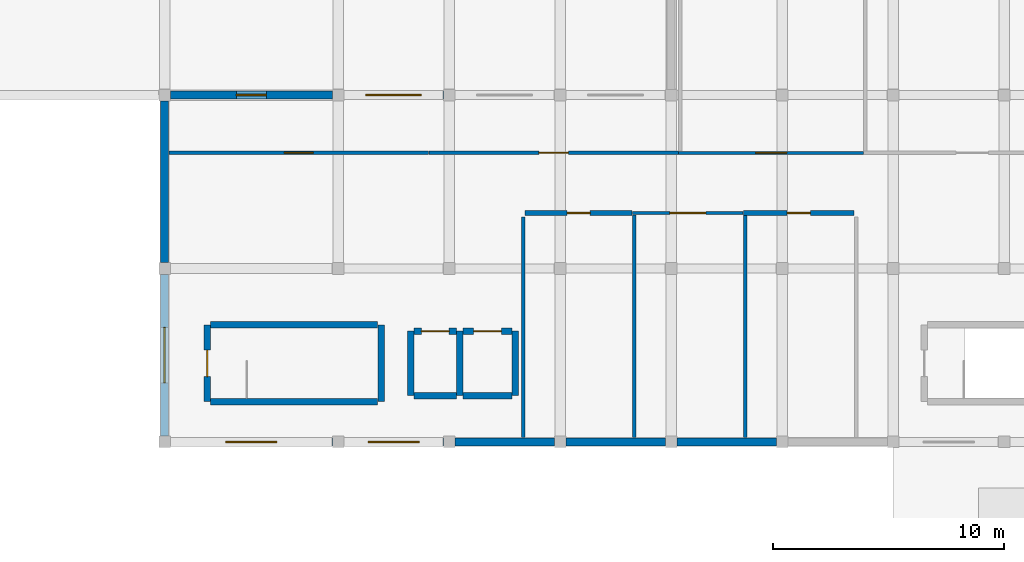
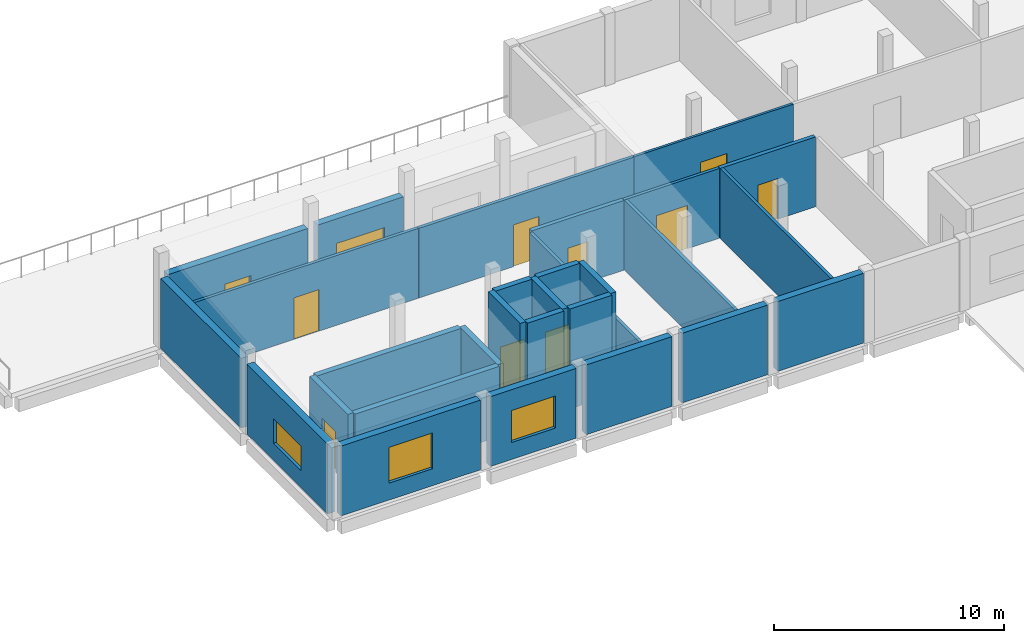
# One storey, part 9 of 21: 29 walls, 10 doors, 4 windows, 14 openings.
"""IFC4 building model written with IfcOpenShell, lengths in metres."""

from ifc_helpers import new_model, si_unit, direction, frame, frame_2d, origin, place, context, subcontext, project, spatial, rectangle, extrude, material, layer, layer_set, type_object, element, fill, save


model = new_model("IFC4")

# Units and contexts
model_context = context("Model", 3, precision=1e-05, world=origin(), true_north=direction((0.0, 1.0)))
body_context = subcontext(model_context, "Body", "Model", "MODEL_VIEW")
ifc_project = project(units=[si_unit("LENGTHUNIT", "METRE"), si_unit("AREAUNIT", "SQUARE_METRE"), si_unit("VOLUMEUNIT", "CUBIC_METRE"), si_unit("PLANEANGLEUNIT", "RADIAN"), si_unit("MASSUNIT", "GRAM", prefix="KILO")], contexts=[model_context])

# Site, building, storey
site_placement = place(None, origin())
site = spatial("IfcSite", under=ifc_project, at=site_placement, CompositionType="ELEMENT")
building_placement = place(site_placement, origin())
building = spatial("IfcBuilding", under=site, at=building_placement, Name="Mawjan Specialist Oncology Clinic", CompositionType="ELEMENT")
storey_placement = place(building_placement, frame((0.0, 0.0, 13.5)))
storey = spatial("IfcBuildingStorey", under=building, at=storey_placement, Name="L03", CompositionType="ELEMENT", Elevation=13.5)

# Walls
ifc_material_1 = material(Name="Precast concrete C40/50", Category="concrete")
ifc_layer_1 = layer(ifc_material_1, 0.35009765625, Name="Precast concrete C40/50", Category="concrete")
ifc_layer_set_1 = layer_set([ifc_layer_1], Name="Precast concrete C40/50")
wall_type_1 = type_object("IfcWallType", Name="EW-350", PredefinedType="SOLIDWALL", material=ifc_layer_set_1)
wall_1_placement = place(storey_placement, frame((78.949951171875, 83.300048828125, 0.0), z_axis=(0.0, 0.0, 1.0), x_axis=(-1.0, 0.0, 0.0)))
element("IfcWall", 1, at=wall_1_placement, inside=storey, type_object=wall_type_1, Name="L03 Coral-Limestone Exterior Wall EW-L03-314", PredefinedType="SOLIDWALL", context=body_context, shape_type="SweptSolid", body=[
    extrude(rectangle(XDim=4.300048828125, YDim=0.35009765625, at=frame_2d((2.14990234375, 0.0))), origin(), (0.0, 0.0, 1.0), 3.699951171875),
])
wall_2_placement = place(storey_placement, frame((74.14990234375, 83.300048828125, 0.0), z_axis=(0.0, 0.0, 1.0), x_axis=(-1.0, 0.0, 0.0)))
element("IfcWall", 2, at=wall_2_placement, inside=storey, type_object=wall_type_1, Name="L03 Coral-Limestone Exterior Wall EW-L03-315", PredefinedType="SOLIDWALL", context=body_context, shape_type="SweptSolid", body=[
    extrude(rectangle(XDim=4.2998046875, YDim=0.35009765625, at=frame_2d((2.14990234375, 0.0))), origin(), (0.0, 0.0, 1.0), 3.699951171875),
])
wall_3_placement = place(storey_placement, frame((69.35009765625, 83.300048828125, 0.0), z_axis=(0.0, 0.0, 1.0), x_axis=(-1.0, 0.0, 0.0)))
element("IfcWall", 3, at=wall_3_placement, inside=storey, type_object=wall_type_1, Name="L03 Coral-Limestone Exterior Wall EW-L03-316", PredefinedType="SOLIDWALL", context=body_context, shape_type="SweptSolid", body=[
    extrude(rectangle(XDim=4.300048828125, YDim=0.35009765625, at=frame_2d((2.14990234375, 0.0))), origin(), (0.0, 0.0, 1.0), 3.699951171875),
])

# Wall, opening, window
wall_4_placement = place(storey_placement, frame((64.550048828125, 83.300048828125, 0.0), z_axis=(0.0, 0.0, 1.0), x_axis=(-1.0, 0.0, 0.0)))
wall_4 = element("IfcWall", 4, at=wall_4_placement, inside=storey, type_object=wall_type_1, Name="L03 Coral-Limestone Exterior Wall EW-L03-317", PredefinedType="SOLIDWALL", context=body_context, shape_type="SweptSolid", body=[
    extrude(rectangle(XDim=4.300048828125, YDim=0.35009765625, at=frame_2d((2.14990234375, 0.0))), origin(), (0.0, 0.0, 1.0), 3.699951171875),
])
opening_1_placement = place(wall_4_placement, frame((1.050048828125, 0.0, 0.89990234375)))
opening_1 = element("IfcOpeningElement", 5, at=opening_1_placement, cuts=wall_4, Name="Opening WN-31", PredefinedType="OPENING", context=body_context, shape_type="SweptSolid", body=[
    extrude(rectangle(XDim=2.199951171875, YDim=1.699951171875, at=frame_2d((1.10009765625, 0.85009765625))), frame((0.0, 0.18701171875, 0.0), z_axis=(0.0, -1.0, 0.0), x_axis=(1.0, 0.0, 0.0)), (0.0, 0.0, 1.0), 0.3740234375),
])
ifc_material_2 = material(Name="Thermally broken low-E clinical aluminium window", Category="aluminium")
window_type_1 = type_object("IfcWindowType", Name="WN-31", PartitioningType="DOUBLE_PANEL_VERTICAL", PredefinedType="WINDOW", material=ifc_material_2)
window_1_placement = place(opening_1_placement, origin())
window_1 = element("IfcWindow", 6, at=window_1_placement, inside=storey, type_object=window_type_1, Name="L03 Clinical Low-E Window 067", OverallHeight=1.699951171875, OverallWidth=2.199951171875, PartitioningType="DOUBLE_PANEL_VERTICAL", PredefinedType="WINDOW", context=body_context, shape_type="SweptSolid", body=[
    extrude(rectangle(XDim=2.199951171875, YDim=1.699951171875, at=frame_2d((1.10009765625, 0.85009765625))), frame((0.0, 0.030029296875, 0.0), z_axis=(0.0, -1.0, 0.0), x_axis=(1.0, 0.0, 0.0)), (0.0, 0.0, 1.0), 0.06005859375),
])
fill(opening_1, window_1)

wall_5_placement = place(storey_placement, frame((59.75, 83.300048828125, 0.0), z_axis=(0.0, 0.0, 1.0), x_axis=(-1.0, 0.0, 0.0)))
wall_5 = element("IfcWall", 7, at=wall_5_placement, inside=storey, type_object=wall_type_1, Name="L03 Coral-Limestone Exterior Wall EW-L03-318", PredefinedType="SOLIDWALL", context=body_context, shape_type="SweptSolid", body=[
    extrude(rectangle(XDim=7.0, YDim=0.35009765625, at=frame_2d((3.5, 0.0))), origin(), (0.0, 0.0, 1.0), 3.699951171875),
])
opening_2_placement = place(wall_5_placement, frame((2.39990234375, 0.0, 0.89990234375)))
opening_2 = element("IfcOpeningElement", 8, at=opening_2_placement, cuts=wall_5, Name="Opening WN-32", PredefinedType="OPENING", context=body_context, shape_type="SweptSolid", body=[
    extrude(rectangle(XDim=2.199951171875, YDim=1.89990234375, at=frame_2d((1.10009765625, 0.949951171875))), frame((0.0, 0.18701171875, 0.0), z_axis=(0.0, -1.0, 0.0), x_axis=(1.0, 0.0, 0.0)), (0.0, 0.0, 1.0), 0.3740234375),
])
ifc_material_3 = material(Name="Thermally broken low-E clinical aluminium window", Category="aluminium")
window_type_2 = type_object("IfcWindowType", Name="WN-32", PartitioningType="DOUBLE_PANEL_VERTICAL", PredefinedType="WINDOW", material=ifc_material_3)
window_2_placement = place(opening_2_placement, origin())
window_2 = element("IfcWindow", 9, at=window_2_placement, inside=storey, type_object=window_type_2, Name="L03 Clinical Low-E Window 068", OverallHeight=1.89990234375, OverallWidth=2.199951171875, PartitioningType="DOUBLE_PANEL_VERTICAL", PredefinedType="WINDOW", context=body_context, shape_type="SweptSolid", body=[
    extrude(rectangle(XDim=2.199951171875, YDim=1.89990234375, at=frame_2d((1.10009765625, 0.949951171875))), frame((0.0, 0.030029296875, 0.0), z_axis=(0.0, -1.0, 0.0), x_axis=(1.0, 0.0, 0.0)), (0.0, 0.0, 1.0), 0.06005859375),
])
fill(opening_2, window_2)

wall_6_placement = place(storey_placement, frame((52.5, 83.550048828125, 0.0), z_axis=(0.0, 0.0, 1.0), x_axis=(0.0, 1.0, 0.0)))
wall_6 = element("IfcWall", 10, at=wall_6_placement, inside=storey, type_object=wall_type_1, Name="L03 Coral-Limestone Exterior Wall EW-L03-319", PredefinedType="SOLIDWALL", context=body_context, shape_type="SweptSolid", body=[
    extrude(rectangle(XDim=7.0, YDim=0.35009765625, at=frame_2d((3.5, 0.0))), origin(), (0.0, 0.0, 1.0), 3.699951171875),
])
opening_3_placement = place(wall_6_placement, frame((2.300048828125, 0.0, 0.89990234375)))
opening_3 = element("IfcOpeningElement", 11, at=opening_3_placement, cuts=wall_6, Name="Opening WN-33", PredefinedType="OPENING", context=body_context, shape_type="SweptSolid", body=[
    extrude(rectangle(XDim=2.39990234375, YDim=1.300048828125, at=frame_2d((1.199951171875, 0.64990234375))), frame((0.0, 0.18701171875, 0.0), z_axis=(0.0, -1.0, 0.0), x_axis=(1.0, 0.0, 0.0)), (0.0, 0.0, 1.0), 0.3740234375),
])
ifc_material_4 = material(Name="Thermally broken low-E clinical aluminium window", Category="aluminium")
window_type_3 = type_object("IfcWindowType", Name="WN-33", PartitioningType="DOUBLE_PANEL_VERTICAL", PredefinedType="WINDOW", material=ifc_material_4)
window_3_placement = place(opening_3_placement, origin())
window_3 = element("IfcWindow", 12, at=window_3_placement, inside=storey, type_object=window_type_3, Name="L03 Clinical Low-E Window 069", OverallHeight=1.300048828125, OverallWidth=2.39990234375, PartitioningType="DOUBLE_PANEL_VERTICAL", PredefinedType="WINDOW", context=body_context, shape_type="SweptSolid", body=[
    extrude(rectangle(XDim=2.39990234375, YDim=1.300048828125, at=frame_2d((1.199951171875, 0.64990234375))), frame((0.0, 0.030029296875, 0.0), z_axis=(0.0, -1.0, 0.0), x_axis=(1.0, 0.0, 0.0)), (0.0, 0.0, 1.0), 0.06005859375),
])
fill(opening_3, window_3)

# Wall
wall_7_placement = place(storey_placement, frame((52.5, 91.050048828125, 0.0), z_axis=(0.0, 0.0, 1.0), x_axis=(0.0, 1.0, 0.0)))
element("IfcWall", 13, at=wall_7_placement, inside=storey, type_object=wall_type_1, Name="L03 Coral-Limestone Exterior Wall EW-L03-320", PredefinedType="SOLIDWALL", context=body_context, shape_type="SweptSolid", body=[
    extrude(rectangle(XDim=7.0, YDim=0.35009765625, at=frame_2d((3.5, 0.0))), origin(), (0.0, 0.0, 1.0), 3.699951171875),
])

# Wall, opening, door
wall_8_placement = place(storey_placement, frame((52.75, 98.300048828125, 0.0), z_axis=(0.0, 0.0, 1.0), x_axis=(1.0, 0.0, 0.0)))
wall_8 = element("IfcWall", 14, at=wall_8_placement, inside=storey, type_object=wall_type_1, Name="L03 Coral-Limestone Exterior Wall EW-L03-321", PredefinedType="SOLIDWALL", context=body_context, shape_type="SweptSolid", body=[
    extrude(rectangle(XDim=7.0, YDim=0.35009765625, at=frame_2d((3.5, 0.0))), origin(), (0.0, 0.0, 1.0), 3.699951171875),
])
opening_4_placement = place(wall_8_placement, frame((2.85009765625, 0.0, 0.0)))
opening_4 = element("IfcOpeningElement", 15, at=opening_4_placement, cuts=wall_8, Name="Opening DT-130", PredefinedType="OPENING", context=body_context, shape_type="SweptSolid", body=[
    extrude(rectangle(XDim=1.300048828125, YDim=2.199951171875, at=frame_2d((0.64990234375, 1.10009765625))), frame((0.0, 0.18701171875, 0.0), z_axis=(0.0, -1.0, 0.0), x_axis=(1.0, 0.0, 0.0)), (0.0, 0.0, 1.0), 0.3740234375),
])
ifc_material_5 = material(Name="Insulated marine-grade aluminium entrance assembly", Category="aluminium")
door_type_1 = type_object("IfcDoorType", Name="DT-130", OperationType="NOTDEFINED", PredefinedType="DOOR", material=ifc_material_5)
door_1_placement = place(opening_4_placement, origin())
door_1 = element("IfcDoor", 16, at=door_1_placement, inside=storey, type_object=door_type_1, Name="L03 Healing Terrace Access Door 4", OperationType="SINGLE_SWING_LEFT", OverallHeight=2.199951171875, OverallWidth=1.300048828125, PredefinedType="DOOR", context=body_context, shape_type="SweptSolid", body=[
    extrude(rectangle(XDim=1.300048828125, YDim=2.199951171875, at=frame_2d((0.64990234375, 1.10009765625))), frame((0.0, 0.02490234375, 0.0), z_axis=(0.0, -1.0, 0.0), x_axis=(1.0, 0.0, 0.0)), (0.0, 0.0, 1.0), 0.050048828125),
])
fill(opening_4, door_1)

# Wall, opening, window
wall_9_placement = place(storey_placement, frame((60.25, 98.300048828125, 0.0), z_axis=(0.0, 0.0, 1.0), x_axis=(1.0, 0.0, 0.0)))
wall_9 = element("IfcWall", 17, at=wall_9_placement, inside=storey, type_object=wall_type_1, Name="L03 Coral-Limestone Exterior Wall EW-L03-322", PredefinedType="SOLIDWALL", context=body_context, shape_type="SweptSolid", body=[
    extrude(rectangle(XDim=4.300048828125, YDim=0.35009765625, at=frame_2d((2.14990234375, 0.0))), origin(), (0.0, 0.0, 1.0), 3.699951171875),
])
opening_5_placement = place(wall_9_placement, frame((0.949951171875, 0.0, 0.89990234375)))
opening_5 = element("IfcOpeningElement", 18, at=opening_5_placement, cuts=wall_9, Name="Opening WN-34", PredefinedType="OPENING", context=body_context, shape_type="SweptSolid", body=[
    extrude(rectangle(XDim=2.39990234375, YDim=1.5, at=frame_2d((1.199951171875, 0.75))), frame((0.0, 0.18701171875, 0.0), z_axis=(0.0, -1.0, 0.0), x_axis=(1.0, 0.0, 0.0)), (0.0, 0.0, 1.0), 0.3740234375),
])
ifc_material_6 = material(Name="Thermally broken low-E clinical aluminium window", Category="aluminium")
window_type_4 = type_object("IfcWindowType", Name="WN-34", PartitioningType="DOUBLE_PANEL_VERTICAL", PredefinedType="WINDOW", material=ifc_material_6)
window_4_placement = place(opening_5_placement, origin())
window_4 = element("IfcWindow", 19, at=window_4_placement, inside=storey, type_object=window_type_4, Name="L03 Clinical Low-E Window 070", OverallHeight=1.5, OverallWidth=2.39990234375, PartitioningType="DOUBLE_PANEL_VERTICAL", PredefinedType="WINDOW", context=body_context, shape_type="SweptSolid", body=[
    extrude(rectangle(XDim=2.39990234375, YDim=1.5, at=frame_2d((1.199951171875, 0.75))), frame((0.0, 0.030029296875, 0.0), z_axis=(0.0, -1.0, 0.0), x_axis=(1.0, 0.0, 0.0)), (0.0, 0.0, 1.0), 0.06005859375),
])
fill(opening_5, window_4)

# Walls
ifc_material_7 = material(Name="Concrete C45/55", Category="concrete")
ifc_layer_2 = layer(ifc_material_7, 0.280029296875, Name="Concrete C45/55", Category="concrete")
ifc_layer_set_2 = layer_set([ifc_layer_2], Name="Concrete C45/55")
wall_type_2 = type_object("IfcWallType", Name="SW-300", PredefinedType="SHEAR", material=ifc_layer_set_2)
wall_10_placement = place(storey_placement, frame((54.485107421875, 85.0400390625, 0.0), z_axis=(0.0, 0.0, 1.0), x_axis=(1.0, 0.0, 0.0)))
element("IfcWall", 20, at=wall_10_placement, inside=storey, type_object=wall_type_2, Name="L03 Core K3 Stair Shear Wall 1", PredefinedType="SHEAR", context=body_context, shape_type="SweptSolid", body=[
    extrude(rectangle(XDim=7.22998046875, YDim=0.280029296875, at=frame_2d((3.614990234375, 0.0))), origin(), (0.0, 0.0, 1.0), 3.719970703125),
])
wall_11_placement = place(storey_placement, frame((61.860107421875, 85.0400390625, 0.0), z_axis=(0.0, 0.0, 1.0), x_axis=(0.0, 1.0, 0.0)))
element("IfcWall", 21, at=wall_11_placement, inside=storey, type_object=wall_type_2, Name="L03 Core K3 Stair Shear Wall 2", PredefinedType="SHEAR", context=body_context, shape_type="SweptSolid", body=[
    extrude(rectangle(XDim=3.320068359375, YDim=0.280029296875, at=frame_2d((1.66015625, 0.0))), origin(), (0.0, 0.0, 1.0), 3.719970703125),
])
wall_12_placement = place(storey_placement, frame((61.715087890625, 88.360107421875, 0.0), z_axis=(0.0, 0.0, 1.0), x_axis=(-1.0, 0.0, 0.0)))
element("IfcWall", 22, at=wall_12_placement, inside=storey, type_object=wall_type_2, Name="L03 Core K3 Stair Shear Wall 3", PredefinedType="SHEAR", context=body_context, shape_type="SweptSolid", body=[
    extrude(rectangle(XDim=7.22998046875, YDim=0.280029296875, at=frame_2d((3.614990234375, 0.0))), origin(), (0.0, 0.0, 1.0), 3.719970703125),
])

# Wall, opening, door
wall_13_placement = place(storey_placement, frame((54.340087890625, 88.360107421875, 0.0), z_axis=(0.0, 0.0, 1.0), x_axis=(0.0, -1.0, 0.0)))
wall_13 = element("IfcWall", 23, at=wall_13_placement, inside=storey, type_object=wall_type_2, Name="L03 Core K3 Stair Shear Wall 4", PredefinedType="SHEAR", context=body_context, shape_type="SweptSolid", body=[
    extrude(rectangle(XDim=3.320068359375, YDim=0.280029296875, at=frame_2d((1.66015625, 0.0))), origin(), (0.0, 0.0, 1.0), 3.719970703125),
])
opening_6_placement = place(wall_13_placement, frame((1.0849609375, 0.0, 0.0)))
opening_6 = element("IfcOpeningElement", 24, at=opening_6_placement, cuts=wall_13, Name="Opening FD-90", PredefinedType="OPENING", context=body_context, shape_type="SweptSolid", body=[
    extrude(rectangle(XDim=1.14990234375, YDim=2.14990234375, at=frame_2d((0.574951171875, 1.074951171875))), frame((0.0, 0.152099609375, 0.0), z_axis=(0.0, -1.0, 0.0), x_axis=(1.0, 0.0, 0.0)), (0.0, 0.0, 1.0), 0.303955078125),
])
ifc_material_8 = material(Name="Stainless-steel fire-rated hospital door", Category="steel")
door_type_2 = type_object("IfcDoorType", Name="FD-90", OperationType="NOTDEFINED", PredefinedType="DOOR", material=ifc_material_8)
door_2_placement = place(opening_6_placement, origin())
door_2 = element("IfcDoor", 25, at=door_2_placement, inside=storey, type_object=door_type_2, Name="L03 ST-03 Fire Exit Stair Door", OperationType="SINGLE_SWING_RIGHT", OverallHeight=2.14990234375, OverallWidth=1.14990234375, PredefinedType="DOOR", context=body_context, shape_type="SweptSolid", body=[
    extrude(rectangle(XDim=1.14990234375, YDim=2.14990234375, at=frame_2d((0.574951171875, 1.074951171875))), frame((0.0, 0.02490234375, 0.0), z_axis=(0.0, -1.0, 0.0), x_axis=(1.0, 0.0, 0.0)), (0.0, 0.0, 1.0), 0.050048828125),
])
fill(opening_6, door_2)

# Walls
wall_14_placement = place(storey_placement, frame((63.2861328125, 85.306640625, 0.0), z_axis=(0.0, 0.0, 1.0), x_axis=(1.0, 0.0, 0.0)))
element("IfcWall", 26, at=wall_14_placement, inside=storey, type_object=wall_type_2, Name="L03 LF-05 Hoistway Wall 1", PredefinedType="SHEAR", context=body_context, shape_type="SweptSolid", body=[
    extrude(rectangle(XDim=1.827880859375, YDim=0.280029296875, at=frame_2d((0.9140625, 0.0))), origin(), (0.0, 0.0, 1.0), 5.300048828125),
])
wall_15_placement = place(storey_placement, frame((65.259033203125, 85.306640625, 0.0), z_axis=(0.0, 0.0, 1.0), x_axis=(0.0, 1.0, 0.0)))
element("IfcWall", 27, at=wall_15_placement, inside=storey, type_object=wall_type_2, Name="L03 LF-05 Hoistway Wall 2", PredefinedType="SHEAR", context=body_context, shape_type="SweptSolid", body=[
    extrude(rectangle(XDim=2.78662109375, YDim=0.280029296875, at=frame_2d((1.393310546875, 0.0))), origin(), (0.0, 0.0, 1.0), 5.300048828125),
])

# Wall, opening, door
wall_16_placement = place(storey_placement, frame((65.114013671875, 88.09326171875, 0.0), z_axis=(0.0, 0.0, 1.0), x_axis=(-1.0, 0.0, 0.0)))
wall_16 = element("IfcWall", 28, at=wall_16_placement, inside=storey, type_object=wall_type_2, Name="L03 LF-05 Hoistway Wall 3", PredefinedType="SHEAR", context=body_context, shape_type="SweptSolid", body=[
    extrude(rectangle(XDim=1.827880859375, YDim=0.280029296875, at=frame_2d((0.9140625, 0.0))), origin(), (0.0, 0.0, 1.0), 5.300048828125),
])
opening_7_placement = place(wall_16_placement, frame((0.31396484375, 0.0, 0.0)))
opening_7 = element("IfcOpeningElement", 29, at=opening_7_placement, cuts=wall_16, Name="Opening LD-05-L03", PredefinedType="OPENING", context=body_context, shape_type="SweptSolid", body=[
    extrude(rectangle(XDim=1.199951171875, YDim=2.14990234375, at=frame_2d((0.60009765625, 1.074951171875))), frame((0.0, 0.152099609375, 0.0), z_axis=(0.0, -1.0, 0.0), x_axis=(1.0, 0.0, 0.0)), (0.0, 0.0, 1.0), 0.303955078125),
])
ifc_material_9 = material(Name="Stainless-steel fire-rated hospital door", Category="steel")
door_type_3 = type_object("IfcDoorType", Name="LD-120", OperationType="SLIDING_TO_LEFT", PredefinedType="DOOR", material=ifc_material_9)
door_3_placement = place(opening_7_placement, origin())
door_3 = element("IfcDoor", 30, at=door_3_placement, inside=storey, type_object=door_type_3, Name="L03 LF-05 Sliding Lift Landing Door", OperationType="SLIDING_TO_LEFT", OverallHeight=2.14990234375, OverallWidth=1.199951171875, PredefinedType="DOOR", context=body_context, shape_type="SweptSolid", body=[
    extrude(rectangle(XDim=1.199951171875, YDim=2.14990234375, at=frame_2d((0.60009765625, 1.074951171875))), frame((0.0, 0.02490234375, 0.0), z_axis=(0.0, -1.0, 0.0), x_axis=(1.0, 0.0, 0.0)), (0.0, 0.0, 1.0), 0.050048828125),
])
fill(opening_7, door_3)

# Walls
wall_17_placement = place(storey_placement, frame((63.14111328125, 88.09326171875, 0.0), z_axis=(0.0, 0.0, 1.0), x_axis=(0.0, -1.0, 0.0)))
element("IfcWall", 31, at=wall_17_placement, inside=storey, type_object=wall_type_2, Name="L03 LF-05 Hoistway Wall 4", PredefinedType="SHEAR", context=body_context, shape_type="SweptSolid", body=[
    extrude(rectangle(XDim=2.78662109375, YDim=0.280029296875, at=frame_2d((1.393310546875, 0.0))), origin(), (0.0, 0.0, 1.0), 5.300048828125),
])
wall_18_placement = place(storey_placement, frame((65.40380859375, 85.306640625, 0.0), z_axis=(0.0, 0.0, 1.0), x_axis=(1.0, 0.0, 0.0)))
element("IfcWall", 32, at=wall_18_placement, inside=storey, type_object=wall_type_2, Name="L03 LF-06 Hoistway Wall 1", PredefinedType="SHEAR", context=body_context, shape_type="SweptSolid", body=[
    extrude(rectangle(XDim=2.110107421875, YDim=0.280029296875, at=frame_2d((1.05517578125, 0.0))), origin(), (0.0, 0.0, 1.0), 5.300048828125),
])
wall_19_placement = place(storey_placement, frame((67.658935546875, 85.306640625, 0.0), z_axis=(0.0, 0.0, 1.0), x_axis=(0.0, 1.0, 0.0)))
element("IfcWall", 33, at=wall_19_placement, inside=storey, type_object=wall_type_2, Name="L03 LF-06 Hoistway Wall 2", PredefinedType="SHEAR", context=body_context, shape_type="SweptSolid", body=[
    extrude(rectangle(XDim=2.78662109375, YDim=0.280029296875, at=frame_2d((1.393310546875, 0.0))), origin(), (0.0, 0.0, 1.0), 5.300048828125),
])

# Wall, opening, door
wall_20_placement = place(storey_placement, frame((67.513916015625, 88.09326171875, 0.0), z_axis=(0.0, 0.0, 1.0), x_axis=(-1.0, 0.0, 0.0)))
wall_20 = element("IfcWall", 34, at=wall_20_placement, inside=storey, type_object=wall_type_2, Name="L03 LF-06 Hoistway Wall 3", PredefinedType="SHEAR", context=body_context, shape_type="SweptSolid", body=[
    extrude(rectangle(XDim=2.110107421875, YDim=0.280029296875, at=frame_2d((1.05517578125, 0.0))), origin(), (0.0, 0.0, 1.0), 5.300048828125),
])
opening_8_placement = place(wall_20_placement, frame((0.455078125, 0.0, 0.0)))
opening_8 = element("IfcOpeningElement", 35, at=opening_8_placement, cuts=wall_20, Name="Opening LD-06-L03", PredefinedType="OPENING", context=body_context, shape_type="SweptSolid", body=[
    extrude(rectangle(XDim=1.199951171875, YDim=2.14990234375, at=frame_2d((0.60009765625, 1.074951171875))), frame((0.0, 0.152099609375, 0.0), z_axis=(0.0, -1.0, 0.0), x_axis=(1.0, 0.0, 0.0)), (0.0, 0.0, 1.0), 0.303955078125),
])
door_4_placement = place(opening_8_placement, origin())
door_4 = element("IfcDoor", 36, at=door_4_placement, inside=storey, type_object=door_type_3, Name="L03 LF-06 Sliding Lift Landing Door", OperationType="SLIDING_TO_RIGHT", OverallHeight=2.14990234375, OverallWidth=1.199951171875, PredefinedType="DOOR", context=body_context, shape_type="SweptSolid", body=[
    extrude(rectangle(XDim=1.199951171875, YDim=2.14990234375, at=frame_2d((0.60009765625, 1.074951171875))), frame((0.0, 0.02490234375, 0.0), z_axis=(0.0, -1.0, 0.0), x_axis=(1.0, 0.0, 0.0)), (0.0, 0.0, 1.0), 0.050048828125),
])
fill(opening_8, door_4)

ifc_material_10 = material(Name="Moisture-resistant washroom partition", Category="gypsum")
ifc_layer_3 = layer(ifc_material_10, 0.125, Name="Moisture-resistant washroom partition", Category="gypsum")
ifc_layer_set_3 = layer_set([ifc_layer_3], Name="Moisture-resistant washroom partition")
wall_type_3 = type_object("IfcWallType", Name="WP-125", PredefinedType="PARTITIONING", material=ifc_layer_set_3)
wall_21_placement = place(storey_placement, frame((74.72705078125, 95.800048828125, 0.0), z_axis=(0.0, 0.0, 1.0), x_axis=(1.0, 0.0, 0.0)))
wall_21 = element("IfcWall", 37, at=wall_21_placement, inside=storey, type_object=wall_type_3, Name="L03 Interior Partition W-INT-L03-P34-C", PredefinedType="PARTITIONING", context=body_context, shape_type="SweptSolid", body=[
    extrude(rectangle(XDim=7.988037109375, YDim=0.125, at=frame_2d((3.994140625, 0.0))), origin(), (0.0, 0.0, 1.0), 3.699951171875),
])
opening_9_placement = place(wall_21_placement, frame((3.323974609375, 0.0, 0.0)))
opening_9 = element("IfcOpeningElement", 38, at=opening_9_placement, cuts=wall_21, Name="Opening DC-134", PredefinedType="OPENING", context=body_context, shape_type="SweptSolid", body=[
    extrude(rectangle(XDim=1.340087890625, YDim=2.239990234375, at=frame_2d((0.669921875, 1.1201171875))), frame((0.0, 0.074462890625, 0.0), z_axis=(0.0, -1.0, 0.0), x_axis=(1.0, 0.0, 0.0)), (0.0, 0.0, 1.0), 0.14892578125),
])
ifc_material_11 = material(Name="Acoustic laminate hospital door leaf", Category="wood")
door_type_4 = type_object("IfcDoorType", Name="DC-134", OperationType="NOTDEFINED", PredefinedType="DOOR", material=ifc_material_11)
door_5_placement = place(opening_9_placement, origin())
door_5 = element("IfcDoor", 39, at=door_5_placement, inside=storey, type_object=door_type_4, Name="L03 Clinical Pharmacist Consultation Room Door", OperationType="SINGLE_SWING_LEFT", OverallHeight=2.239990234375, OverallWidth=1.340087890625, PredefinedType="DOOR", context=body_context, shape_type="SweptSolid", body=[
    extrude(rectangle(XDim=1.340087890625, YDim=2.239990234375, at=frame_2d((0.669921875, 1.1201171875))), frame((0.0, 0.02490234375, 0.0), z_axis=(0.0, -1.0, 0.0), x_axis=(1.0, 0.0, 0.0)), (0.0, 0.0, 1.0), 0.050048828125),
])
fill(opening_9, door_5)

ifc_material_12 = material(Name="Acoustic gypsum clinical partition", Category="gypsum")
ifc_layer_4 = layer(ifc_material_12, 0.14990234375, Name="Acoustic gypsum clinical partition", Category="gypsum")
ifc_layer_set_4 = layer_set([ifc_layer_4], Name="Acoustic gypsum clinical partition")
wall_type_4 = type_object("IfcWallType", Name="WP-150", PredefinedType="PARTITIONING", material=ifc_layer_set_4)
wall_22_placement = place(storey_placement, frame((52.68701171875, 95.800048828125, 0.0), z_axis=(0.0, 0.0, 1.0), x_axis=(1.0, 0.0, 0.0)))
wall_22 = element("IfcWall", 40, at=wall_22_placement, inside=storey, type_object=wall_type_4, Name="L03 Interior Partition W-INT-L03-P37-C", PredefinedType="PARTITIONING", context=body_context, shape_type="SweptSolid", body=[
    extrude(rectangle(XDim=11.22802734375, YDim=0.14990234375, at=frame_2d((5.614013671875, 0.0))), origin(), (0.0, 0.0, 1.0), 3.699951171875),
])
opening_10_placement = place(wall_22_placement, frame((4.993896484375, 0.0, 0.0)))
opening_10 = element("IfcOpeningElement", 41, at=opening_10_placement, cuts=wall_22, Name="Opening DC-124", PredefinedType="OPENING", context=body_context, shape_type="SweptSolid", body=[
    extrude(rectangle(XDim=1.239990234375, YDim=2.199951171875, at=frame_2d((0.6201171875, 1.10009765625))), frame((0.0, 0.0869140625, 0.0), z_axis=(0.0, -1.0, 0.0), x_axis=(1.0, 0.0, 0.0)), (0.0, 0.0, 1.0), 0.173828125),
])
ifc_material_13 = material(Name="Acoustic laminate hospital door leaf", Category="wood")
door_type_5 = type_object("IfcDoorType", Name="DC-124", OperationType="NOTDEFINED", PredefinedType="DOOR", material=ifc_material_13)
door_6_placement = place(opening_10_placement, origin())
door_6 = element("IfcDoor", 42, at=door_6_placement, inside=storey, type_object=door_type_5, Name="L03 Sterile Compounding Prep Suite Door", OperationType="SINGLE_SWING_LEFT", OverallHeight=2.199951171875, OverallWidth=1.239990234375, PredefinedType="DOOR", context=body_context, shape_type="SweptSolid", body=[
    extrude(rectangle(XDim=1.239990234375, YDim=2.199951171875, at=frame_2d((0.6201171875, 1.10009765625))), frame((0.0, 0.02490234375, 0.0), z_axis=(0.0, -1.0, 0.0), x_axis=(1.0, 0.0, 0.0)), (0.0, 0.0, 1.0), 0.050048828125),
])
fill(opening_10, door_6)

wall_23_placement = place(storey_placement, frame((72.72705078125, 93.199951171875, 0.0), z_axis=(0.0, 0.0, 1.0), x_axis=(1.0, 0.0, 0.0)))
wall_23 = element("IfcWall", 43, at=wall_23_placement, inside=storey, type_object=wall_type_4, Name="L03 Interior Partition W-INT-L03-P32-C", PredefinedType="PARTITIONING", context=body_context, shape_type="SweptSolid", body=[
    extrude(rectangle(XDim=4.787841796875, YDim=0.14990234375, at=frame_2d((2.39404296875, 0.0))), origin(), (0.0, 0.0, 1.0), 3.699951171875),
])
opening_11_placement = place(wall_23_placement, frame((1.614013671875, 0.0, 0.0)))
opening_11 = element("IfcOpeningElement", 44, at=opening_11_placement, cuts=wall_23, Name="Opening DC-156", PredefinedType="OPENING", context=body_context, shape_type="SweptSolid", body=[
    extrude(rectangle(XDim=1.56005859375, YDim=2.300048828125, at=frame_2d((0.780029296875, 1.14990234375))), frame((0.0, 0.0869140625, 0.0), z_axis=(0.0, -1.0, 0.0), x_axis=(1.0, 0.0, 0.0)), (0.0, 0.0, 1.0), 0.173828125),
])
ifc_material_14 = material(Name="Acoustic laminate hospital door leaf", Category="wood")
door_type_6 = type_object("IfcDoorType", Name="DC-156", OperationType="NOTDEFINED", PredefinedType="DOOR", material=ifc_material_14)
door_7_placement = place(opening_11_placement, origin())
door_7 = element("IfcDoor", 45, at=door_7_placement, inside=storey, type_object=door_type_6, Name="L03 USP 797 Sterile Cleanroom Door", OperationType="SINGLE_SWING_RIGHT", OverallHeight=2.300048828125, OverallWidth=1.56005859375, PredefinedType="DOOR", context=body_context, shape_type="SweptSolid", body=[
    extrude(rectangle(XDim=1.56005859375, YDim=2.300048828125, at=frame_2d((0.780029296875, 1.14990234375))), frame((0.0, 0.02490234375, 0.0), z_axis=(0.0, -1.0, 0.0), x_axis=(1.0, 0.0, 0.0)), (0.0, 0.0, 1.0), 0.050048828125),
])
fill(opening_11, door_7)

# Walls
wall_24_placement = place(storey_placement, frame((68.0, 83.487060546875, 0.0), z_axis=(0.0, 0.0, 1.0), x_axis=(0.0, 1.0, 0.0)))
element("IfcWall", 46, at=wall_24_placement, inside=storey, type_object=wall_type_4, Name="L03 Interior Partition W-INT-L03-P31-D0", PredefinedType="PARTITIONING", context=body_context, shape_type="SweptSolid", body=[
    extrude(rectangle(XDim=9.5478515625, YDim=0.14990234375, at=frame_2d((4.77392578125, 0.0))), origin(), (0.0, 0.0, 1.0), 3.699951171875),
])
wall_25_placement = place(storey_placement, frame((77.60009765625, 83.487060546875, 0.0), z_axis=(0.0, 0.0, 1.0), x_axis=(0.0, 1.0, 0.0)))
element("IfcWall", 47, at=wall_25_placement, inside=storey, type_object=wall_type_4, Name="L03 Interior Partition W-INT-L03-P32-D", PredefinedType="PARTITIONING", context=body_context, shape_type="SweptSolid", body=[
    extrude(rectangle(XDim=9.620849609375, YDim=0.14990234375, at=frame_2d((4.810546875, 0.0))), origin(), (0.0, 0.0, 1.0), 3.699951171875),
])

# Wall, opening, door
ifc_material_15 = material(Name="Acoustic clinical twin-stud partition", Category="gypsum")
ifc_layer_5 = layer(ifc_material_15, 0.159912109375, Name="Acoustic clinical twin-stud partition", Category="gypsum")
ifc_layer_set_5 = layer_set([ifc_layer_5], Name="Acoustic clinical twin-stud partition")
wall_type_5 = type_object("IfcWallType", Name="WP-160", PredefinedType="PARTITIONING", material=ifc_layer_set_5)
wall_26_placement = place(storey_placement, frame((63.927001953125, 95.800048828125, 0.0), z_axis=(0.0, 0.0, 1.0), x_axis=(1.0, 0.0, 0.0)))
wall_26 = element("IfcWall", 48, at=wall_26_placement, inside=storey, type_object=wall_type_5, Name="L03 Interior Partition W-INT-L03-P38-C", PredefinedType="PARTITIONING", context=body_context, shape_type="SweptSolid", body=[
    extrude(rectangle(XDim=10.7880859375, YDim=0.159912109375, at=frame_2d((5.39404296875, 0.0))), origin(), (0.0, 0.0, 1.0), 3.699951171875),
])
opening_12_placement = place(wall_26_placement, frame((4.75390625, 0.0, 0.0)))
opening_12 = element("IfcOpeningElement", 49, at=opening_12_placement, cuts=wall_26, Name="Opening DC-128", PredefinedType="OPENING", context=body_context, shape_type="SweptSolid", body=[
    extrude(rectangle(XDim=1.280029296875, YDim=2.219970703125, at=frame_2d((0.64013671875, 1.10986328125))), frame((0.0, 0.092041015625, 0.0), z_axis=(0.0, -1.0, 0.0), x_axis=(1.0, 0.0, 0.0)), (0.0, 0.0, 1.0), 0.183837890625),
])
ifc_material_16 = material(Name="Acoustic laminate hospital door leaf", Category="wood")
door_type_7 = type_object("IfcDoorType", Name="DC-128", OperationType="NOTDEFINED", PredefinedType="DOOR", material=ifc_material_16)
door_8_placement = place(opening_12_placement, origin())
door_8 = element("IfcDoor", 50, at=door_8_placement, inside=storey, type_object=door_type_7, Name="L03 Chemotherapy Dose Verification Room Door", OperationType="SINGLE_SWING_RIGHT", OverallHeight=2.219970703125, OverallWidth=1.280029296875, PredefinedType="DOOR", context=body_context, shape_type="SweptSolid", body=[
    extrude(rectangle(XDim=1.280029296875, YDim=2.219970703125, at=frame_2d((0.64013671875, 1.10986328125))), frame((0.0, 0.02490234375, 0.0), z_axis=(0.0, -1.0, 0.0), x_axis=(1.0, 0.0, 0.0)), (0.0, 0.0, 1.0), 0.050048828125),
])
fill(opening_12, door_8)

# Wall
wall_27_placement = place(storey_placement, frame((72.800048828125, 83.487060546875, 0.0), z_axis=(0.0, 0.0, 1.0), x_axis=(0.0, 1.0, 0.0)))
element("IfcWall", 51, at=wall_27_placement, inside=storey, type_object=wall_type_5, Name="L03 Interior Partition W-INT-L03-P31-D", PredefinedType="PARTITIONING", context=body_context, shape_type="SweptSolid", body=[
    extrude(rectangle(XDim=9.6259765625, YDim=0.159912109375, at=frame_2d((4.81298828125, 0.0))), origin(), (0.0, 0.0, 1.0), 3.699951171875),
])

# Wall, opening, door
ifc_material_17 = material(Name="Insulated fire-rated gypsum stud partition", Category="gypsum")
ifc_layer_6 = layer(ifc_material_17, 0.199951171875, Name="Insulated fire-rated gypsum stud partition", Category="gypsum")
ifc_layer_set_6 = layer_set([ifc_layer_6], Name="Insulated fire-rated gypsum stud partition")
wall_type_6 = type_object("IfcWallType", Name="WS-60", PredefinedType="PARTITIONING", material=ifc_layer_set_6)
wall_28_placement = place(storey_placement, frame((68.0849609375, 93.199951171875, 0.0), z_axis=(0.0, 0.0, 1.0), x_axis=(1.0, 0.0, 0.0)))
wall_28 = element("IfcWall", 52, at=wall_28_placement, inside=storey, type_object=wall_type_6, Name="L03 Interior Partition W-INT-L03-P31-C", PredefinedType="PARTITIONING", context=body_context, shape_type="SweptSolid", body=[
    extrude(rectangle(XDim=4.630126953125, YDim=0.199951171875, at=frame_2d((2.31494140625, 0.0))), origin(), (0.0, 0.0, 1.0), 3.699951171875),
])
opening_13_placement = place(wall_28_placement, frame((1.81494140625, 0.0, 0.0)))
opening_13 = element("IfcOpeningElement", 53, at=opening_13_placement, cuts=wall_28, Name="Opening DF-100", PredefinedType="OPENING", context=body_context, shape_type="SweptSolid", body=[
    extrude(rectangle(XDim=1.0, YDim=2.14990234375, at=frame_2d((0.5, 1.074951171875))), frame((0.0, 0.112060546875, 0.0), z_axis=(0.0, -1.0, 0.0), x_axis=(1.0, 0.0, 0.0)), (0.0, 0.0, 1.0), 0.223876953125),
])
ifc_material_18 = material(Name="Stainless-steel fire-rated hospital door", Category="steel")
door_type_8 = type_object("IfcDoorType", Name="DF-100", OperationType="NOTDEFINED", PredefinedType="DOOR", material=ifc_material_18)
door_9_placement = place(opening_13_placement, origin())
door_9 = element("IfcDoor", 54, at=door_9_placement, inside=storey, type_object=door_type_8, Name="L03 Oncology Compounding Pharmacy Door", OperationType="SINGLE_SWING_LEFT", OverallHeight=2.14990234375, OverallWidth=1.0, PredefinedType="DOOR", context=body_context, shape_type="SweptSolid", body=[
    extrude(rectangle(XDim=1.0, YDim=2.14990234375, at=frame_2d((0.5, 1.074951171875))), frame((0.0, 0.02490234375, 0.0), z_axis=(0.0, -1.0, 0.0), x_axis=(1.0, 0.0, 0.0)), (0.0, 0.0, 1.0), 0.050048828125),
])
fill(opening_13, door_9)

wall_29_placement = place(storey_placement, frame((77.527099609375, 93.199951171875, 0.0), z_axis=(0.0, 0.0, 1.0), x_axis=(1.0, 0.0, 0.0)))
wall_29 = element("IfcWall", 55, at=wall_29_placement, inside=storey, type_object=wall_type_6, Name="L03 Interior Partition W-INT-L03-P33-C", PredefinedType="PARTITIONING", context=body_context, shape_type="SweptSolid", body=[
    extrude(rectangle(XDim=4.787841796875, YDim=0.199951171875, at=frame_2d((2.39404296875, 0.0))), origin(), (0.0, 0.0, 1.0), 3.699951171875),
])
opening_14_placement = place(wall_29_placement, frame((1.89404296875, 0.0, 0.0)))
opening_14 = element("IfcOpeningElement", 56, at=opening_14_placement, cuts=wall_29, Name="Opening DF-100", PredefinedType="OPENING", context=body_context, shape_type="SweptSolid", body=[
    extrude(rectangle(XDim=1.0, YDim=2.14990234375, at=frame_2d((0.5, 1.074951171875))), frame((0.0, 0.112060546875, 0.0), z_axis=(0.0, -1.0, 0.0), x_axis=(1.0, 0.0, 0.0)), (0.0, 0.0, 1.0), 0.223876953125),
])
door_10_placement = place(opening_14_placement, origin())
door_10 = element("IfcDoor", 57, at=door_10_placement, inside=storey, type_object=door_type_8, Name="L03 ISO 7 Pharmacy QA Laboratory Door", OperationType="SINGLE_SWING_LEFT", OverallHeight=2.14990234375, OverallWidth=1.0, PredefinedType="DOOR", context=body_context, shape_type="SweptSolid", body=[
    extrude(rectangle(XDim=1.0, YDim=2.14990234375, at=frame_2d((0.5, 1.074951171875))), frame((0.0, 0.02490234375, 0.0), z_axis=(0.0, -1.0, 0.0), x_axis=(1.0, 0.0, 0.0)), (0.0, 0.0, 1.0), 0.050048828125),
])
fill(opening_14, door_10)

save(model, "model.ifc")
